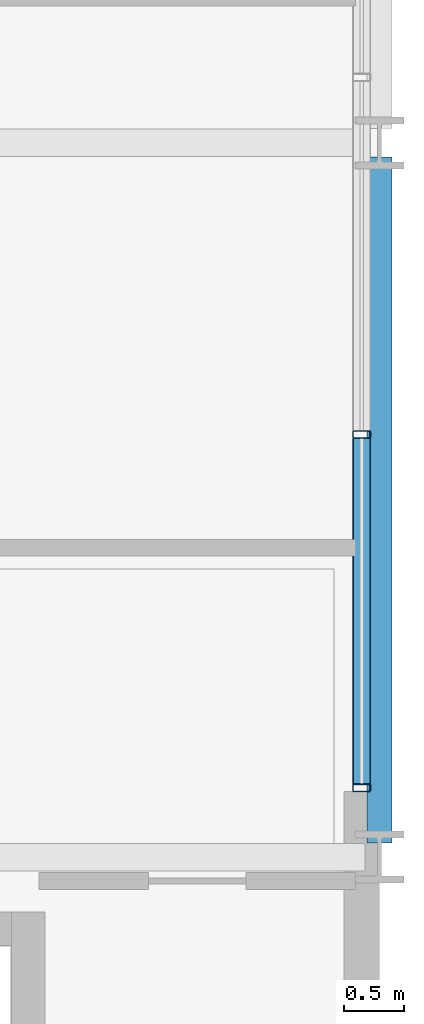
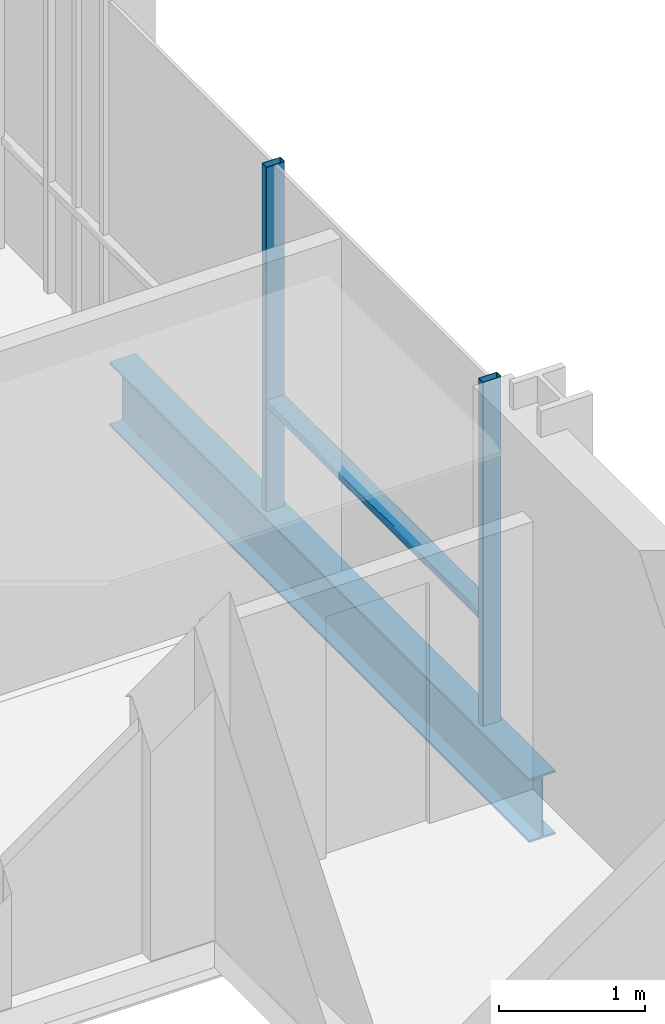
# One storey, part 15 of 41: 3 members, 1 beam, 1 element without a shape of its own.
"""IFC4 building model written with IfcOpenShell, lengths in metres."""

from ifc_helpers import new_model, si_unit, direction, frame, origin, origin_2d, place, context, subcontext, project, spatial, hollow_rectangle, i_section, extrude, material, layer, layer_set, material_profile, profile_set, type_object, element, aggregate, save


model = new_model("IFC4")

# Units and contexts
model_context = context("Model", 3, precision=1e-05, world=origin(), true_north=direction((0.0, 1.0)))
body_context = subcontext(model_context, "Body", "Model", "MODEL_VIEW")
ifc_project = project(units=[si_unit("LENGTHUNIT", "METRE"), si_unit("AREAUNIT", "SQUARE_METRE"), si_unit("VOLUMEUNIT", "CUBIC_METRE"), si_unit("PLANEANGLEUNIT", "RADIAN"), si_unit("MASSUNIT", "GRAM", prefix="KILO")], contexts=[model_context])

# Site, building, storey
site_placement = place(None, origin())
site = spatial("IfcSite", under=ifc_project, at=site_placement, CompositionType="ELEMENT")
building_placement = place(site_placement, origin())
building = spatial("IfcBuilding", under=site, at=building_placement, Name="Brevholm Reach", CompositionType="ELEMENT")
storey_placement = place(building_placement, frame((0.0, 0.0, 112.800048828125)))
storey = spatial("IfcBuildingStorey", under=building, at=storey_placement, Name="L33", CompositionType="ELEMENT", Elevation=112.800048828125)

# Beam
ifc_material_1 = material(Name="Structural Steel S355J2", Category="steel")
ifc_material_profile_1 = material_profile(ifc_material_1, i_section(OverallWidth=0.209228515625, OverallDepth=0.533203125, WebThickness=0.010009765625, FlangeThickness=0.015625, FilletRadius=0.0126953125, at=origin_2d()), Name="UKB 533x210x92")
ifc_profile_set_1 = profile_set([ifc_material_profile_1], Name="Structural Steel S355J2")
beam_type = type_object("IfcBeamType", Name="BM-SP533", PredefinedType="SPANDREL", material=ifc_profile_set_1)
beam_placement = place(storey_placement, frame((60.0, 10.1201171875, -0.486572265625), z_axis=(0.0, 1.0, 0.0), x_axis=(-1.0, 0.0, 0.0)))
element("IfcBeam", 1, at=beam_placement, inside=storey, type_object=beam_type, Name="L33 SP-02 Framing Beam", PredefinedType="SPANDREL", context=body_context, shape_type="SweptSolid", body=[
    extrude(i_section(OverallWidth=0.209228515625, OverallDepth=0.533203125, WebThickness=0.010009765625, FlangeThickness=0.015625, FilletRadius=0.0126953125, at=origin_2d()), origin(), (0.0, 0.0, 1.0), 5.759765625),
])

# Curtain wall, members
ifc_material_2 = material(Name="Dark Anodised Aluminium 6063-T6 and Solar-Control Glass", Category="aluminium")
ifc_layer = layer(ifc_material_2, 0.14990234375)
ifc_layer_set = layer_set([ifc_layer], Name="Dark Anodised Aluminium 6063-T6 and Solar-Control Glass")
curtain_wall_type = type_object("IfcCurtainWallType", Name="CW-01", PredefinedType="NOTDEFINED", material=ifc_layer_set)
curtain_wall_placement = place(storey_placement, origin())
curtain_wall = element("IfcCurtainWall", 2, at=curtain_wall_placement, inside=storey, type_object=curtain_wall_type, Name="L33 Curtain Wall CW-01", PredefinedType="NOTDEFINED")
ifc_material_3 = material(Name="Dark Anodised Aluminium 6063-T6", Category="aluminium")
ifc_material_profile_2 = material_profile(ifc_material_3, hollow_rectangle(XDim=0.06494140625, YDim=0.14990234375, WallThickness=0.0048828125, InnerFilletRadius=0.0048828125, OuterFilletRadius=0.010009765625, at=origin_2d()), Name="RHS 150x65x5")
ifc_profile_set_2 = profile_set([ifc_material_profile_2], Name="Dark Anodised Aluminium 6063-T6")
member_type_1 = type_object("IfcMemberType", Name="CWM-150", PredefinedType="MULLION", material=ifc_profile_set_2)
member_1_placement = place(storey_placement, frame((59.85009765625, 10.58251953125, 0.0), z_axis=(0.0, 0.0, 1.0), x_axis=(0.0, 1.0, 0.0)))
member_1 = element("IfcMember", 3, at=member_1_placement, type_object=member_type_1, Name="CM-150 Mullion 1", PredefinedType="MULLION", context=body_context, shape_type="SweptSolid", body=[
    extrude(hollow_rectangle(XDim=0.06494140625, YDim=0.14990234375, WallThickness=0.0048828125, InnerFilletRadius=0.0048828125, OuterFilletRadius=0.010009765625, at=origin_2d()), origin(), (0.0, 0.0, 1.0), 2.8798828125),
])
member_2_placement = place(storey_placement, frame((59.85009765625, 13.550048828125, 0.0), z_axis=(0.0, 0.0, 1.0), x_axis=(0.0, 1.0, 0.0)))
member_2 = element("IfcMember", 4, at=member_2_placement, type_object=member_type_1, Name="CM-150 Mullion 2", PredefinedType="MULLION", context=body_context, shape_type="SweptSolid", body=[
    extrude(hollow_rectangle(XDim=0.06494140625, YDim=0.14990234375, WallThickness=0.0048828125, InnerFilletRadius=0.0048828125, OuterFilletRadius=0.010009765625, at=origin_2d()), origin(), (0.0, 0.0, 1.0), 2.8798828125),
])
ifc_material_4 = material(Name="Dark Anodised Aluminium 6063-T6", Category="aluminium")
ifc_material_profile_3 = material_profile(ifc_material_4, hollow_rectangle(XDim=0.06494140625, YDim=0.14990234375, WallThickness=0.0048828125, InnerFilletRadius=0.0048828125, OuterFilletRadius=0.010009765625, at=origin_2d()), Name="RHS 150x65x5")
ifc_profile_set_3 = profile_set([ifc_material_profile_3], Name="Dark Anodised Aluminium 6063-T6")
member_type_2 = type_object("IfcMemberType", Name="CWT-150", PredefinedType="NOTDEFINED", material=ifc_profile_set_3)
member_3_placement = place(storey_placement, frame((59.85009765625, 10.614990234375, 0.89990234375), z_axis=(0.0, 1.0, 0.0), x_axis=(0.0, 0.0, 1.0)))
member_3 = element("IfcMember", 5, at=member_3_placement, type_object=member_type_2, Name="CT-150 Transom 1.1", ObjectType="TRANSOM", PredefinedType="USERDEFINED", context=body_context, shape_type="SweptSolid", body=[
    extrude(hollow_rectangle(XDim=0.06494140625, YDim=0.14990234375, WallThickness=0.0048828125, InnerFilletRadius=0.0048828125, OuterFilletRadius=0.010009765625, at=origin_2d()), origin(), (0.0, 0.0, 1.0), 2.902587890625),
])
aggregate(curtain_wall, [member_1, member_2, member_3])

save(model, "model.ifc")
